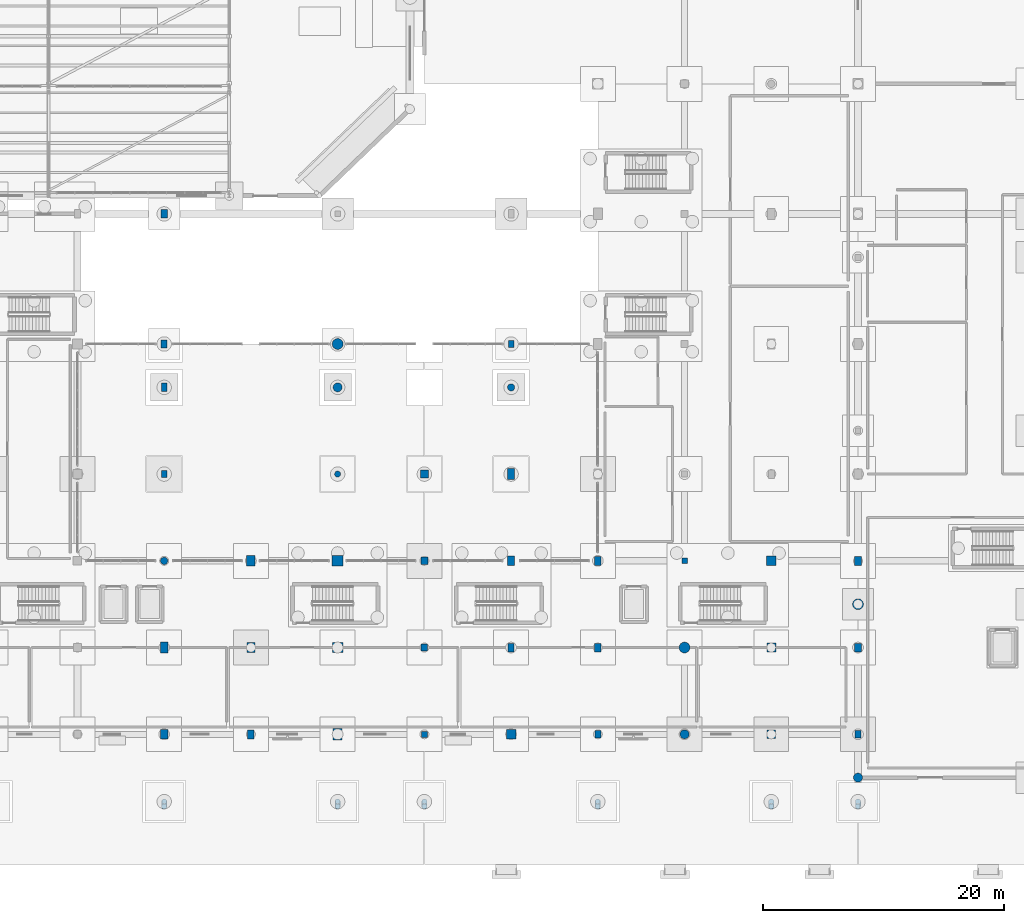
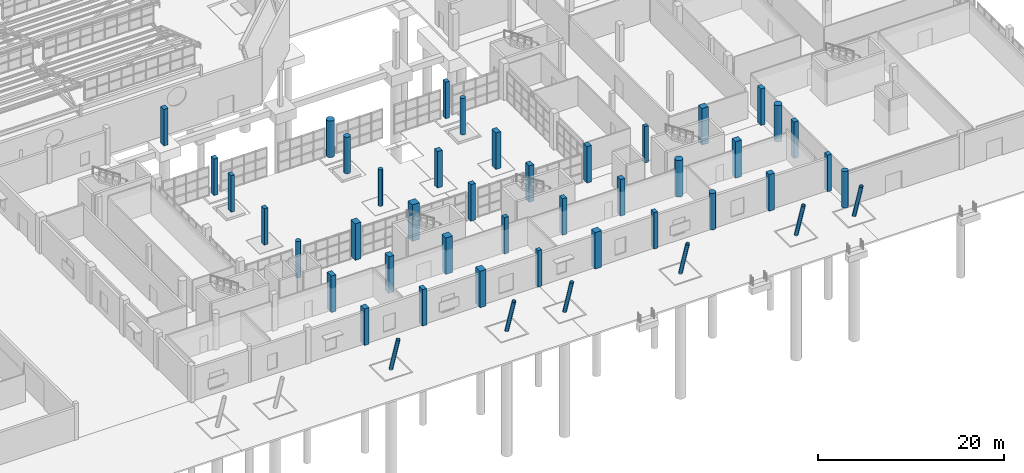
# One storey, part 27 of 285: 46 columns.
"""IFC4 building model written with IfcOpenShell, lengths in metres."""

from ifc_helpers import new_model, si_unit, direction, frame, origin, origin_2d, place, context, subcontext, project, spatial, rectangle, circle, hollow_circle, extrude, material, material_profile, profile_set, type_object, element, save


model = new_model("IFC4")

# Units and contexts
model_context = context("Model", 3, precision=1e-05, world=origin(), true_north=direction((0.0, 1.0)))
body_context = subcontext(model_context, "Body", "Model", "MODEL_VIEW")
ifc_project = project(units=[si_unit("LENGTHUNIT", "METRE"), si_unit("AREAUNIT", "SQUARE_METRE"), si_unit("VOLUMEUNIT", "CUBIC_METRE"), si_unit("PLANEANGLEUNIT", "RADIAN"), si_unit("MASSUNIT", "GRAM", prefix="KILO")], contexts=[model_context])

# Site, building, storey
site_placement = place(None, origin())
site = spatial("IfcSite", under=ifc_project, at=site_placement, CompositionType="ELEMENT")
building_placement = place(site_placement, origin())
building = spatial("IfcBuilding", under=site, at=building_placement, Name="Solanera Park Tramway Depot", CompositionType="ELEMENT")
storey_placement = place(building_placement, origin())
storey = spatial("IfcBuildingStorey", under=building, at=storey_placement, Name="L00", CompositionType="ELEMENT", Elevation=0.0)

# Columns
ifc_material_1 = material(Name="Concrete N40 (C40/50)", Category="concrete")
ifc_material_profile_1 = material_profile(ifc_material_1, rectangle(XDim=0.5, YDim=0.5, at=origin_2d()), Name="RC 500x500")
ifc_profile_set_1 = profile_set([ifc_material_profile_1], Name="Concrete N40 (C40/50)")
column_type_1 = type_object("IfcColumnType", Name="RC Column Ext RC 500x500", PredefinedType="COLUMN", material=ifc_profile_set_1)
column_1_placement = place(storey_placement, frame((151.199951171875, 10.800048828125, 0.0), z_axis=(0.0, 0.0, 1.0), x_axis=(1.0, 0.0, 0.0)))
element("IfcColumn", 1, at=column_1_placement, inside=storey, type_object=column_type_1, Name="L00 Column V4-X1512-Y108", PredefinedType="COLUMN", context=body_context, shape_type="SweptSolid", body=[
    extrude(rectangle(XDim=0.5, YDim=0.5, at=origin_2d()), origin(), (0.0, 0.0, 1.0), 4.800048828125),
])
ifc_material_2 = material(Name="Concrete N40 (C40/50)", Category="concrete")
ifc_material_profile_2 = material_profile(ifc_material_2, rectangle(XDim=0.5, YDim=0.64990234375, at=origin_2d()), Name="RC 500x650")
ifc_profile_set_2 = profile_set([ifc_material_profile_2], Name="Concrete N40 (C40/50)")
column_type_2 = type_object("IfcColumnType", Name="RC Column Ext RC 500x650", PredefinedType="COLUMN", material=ifc_profile_set_2)
for number, where, z_axis, x_axis, name in (
    (2, (165.60009765625, 10.800048828125, 0.0), (0.0, 0.0, 1.0), (1.0, 0.0, 0.0), "L00 Column V4-X1656-Y108"),
    (3, (187.199951171875, 10.800048828125, 0.0), (0.0, 0.0, 1.0), (1.0, 0.0, 0.0), "L00 Column V4-X1872-Y108"),
):
    element("IfcColumn", number, at=place(storey_placement, frame(where, z_axis=z_axis, x_axis=x_axis)), inside=storey, type_object=column_type_2, Name=name, PredefinedType="COLUMN", context=body_context, shape_type="SweptSolid", body=[
        extrude(rectangle(XDim=0.5, YDim=0.64990234375, at=origin_2d()), origin(), (0.0, 0.0, 1.0), 4.800048828125),
    ])
ifc_material_3 = material(Name="Concrete N40 (C40/50)", Category="concrete")
ifc_material_profile_3 = material_profile(ifc_material_3, rectangle(XDim=0.550048828125, YDim=0.699951171875, at=origin_2d()), Name="RC 550x700")
ifc_profile_set_3 = profile_set([ifc_material_profile_3], Name="Concrete N40 (C40/50)")
column_type_3 = type_object("IfcColumnType", Name="RC Column Ext RC 550x700", PredefinedType="COLUMN", material=ifc_profile_set_3)
for number, where, z_axis, x_axis, name in (
    (4, (129.60009765625, 54.0, 0.0), (0.0, 0.0, 1.0), (1.0, 0.0, 0.0), "L00 Column V4-X1296-Y540"),
    (5, (187.199951171875, 18.0, 0.0), (0.0, 0.0, 1.0), (1.0, 0.0, 0.0), "L00 Column V4-X1872-Y180"),
):
    element("IfcColumn", number, at=place(storey_placement, frame(where, z_axis=z_axis, x_axis=x_axis)), inside=storey, type_object=column_type_3, Name=name, PredefinedType="COLUMN", context=body_context, shape_type="SweptSolid", body=[
        extrude(rectangle(XDim=0.550048828125, YDim=0.699951171875, at=origin_2d()), origin(), (0.0, 0.0, 1.0), 4.800048828125),
    ])
ifc_material_4 = material(Name="Concrete N40 (C40/50)", Category="concrete")
ifc_material_profile_4 = material_profile(ifc_material_4, rectangle(XDim=0.550048828125, YDim=0.75, at=origin_2d()), Name="RC 550x750")
ifc_profile_set_4 = profile_set([ifc_material_profile_4], Name="Concrete N40 (C40/50)")
column_type_4 = type_object("IfcColumnType", Name="RC Column Ext RC 550x750", PredefinedType="COLUMN", material=ifc_profile_set_4)
for number, where, z_axis, x_axis, name in (
    (6, (136.800048828125, 10.800048828125, 0.0), (0.0, 0.0, 1.0), (1.0, 0.0, 0.0), "L00 Column V4-X1368-Y108"),
    (7, (187.199951171875, 25.199951171875, 0.0), (0.0, 0.0, 1.0), (1.0, 0.0, 0.0), "L00 Column V4-X1872-Y252"),
):
    element("IfcColumn", number, at=place(storey_placement, frame(where, z_axis=z_axis, x_axis=x_axis)), inside=storey, type_object=column_type_4, Name=name, PredefinedType="COLUMN", context=body_context, shape_type="SweptSolid", body=[
        extrude(rectangle(XDim=0.550048828125, YDim=0.75, at=origin_2d()), origin(), (0.0, 0.0, 1.0), 4.800048828125),
    ])
ifc_material_5 = material(Name="Concrete N40 (C40/50)", Category="concrete")
ifc_material_profile_5 = material_profile(ifc_material_5, rectangle(XDim=0.60009765625, YDim=0.800048828125, at=origin_2d()), Name="RC 600x800")
ifc_profile_set_5 = profile_set([ifc_material_profile_5], Name="Concrete N40 (C40/50)")
column_type_5 = type_object("IfcColumnType", Name="RC Column Ext RC 600x800", PredefinedType="COLUMN", material=ifc_profile_set_5)
column_2_placement = place(storey_placement, frame((129.60009765625, 10.800048828125, 0.0), z_axis=(0.0, 0.0, 1.0), x_axis=(1.0, 0.0, 0.0)))
element("IfcColumn", 8, at=column_2_placement, inside=storey, type_object=column_type_5, Name="L00 Column V4-X1296-Y108", PredefinedType="COLUMN", context=body_context, shape_type="SweptSolid", body=[
    extrude(rectangle(XDim=0.60009765625, YDim=0.800048828125, at=origin_2d()), origin(), (0.0, 0.0, 1.0), 4.800048828125),
])
ifc_material_6 = material(Name="Concrete N40 (C40/50)", Category="concrete")
ifc_material_profile_6 = material_profile(ifc_material_6, rectangle(XDim=0.699951171875, YDim=0.699951171875, at=origin_2d()), Name="RC 700x700")
ifc_profile_set_6 = profile_set([ifc_material_profile_6], Name="Concrete N40 (C40/50)")
column_type_6 = type_object("IfcColumnType", Name="RC Column Ext RC 700x700", PredefinedType="COLUMN", material=ifc_profile_set_6)
column_3_placement = place(storey_placement, frame((180.0, 10.800048828125, 0.0), z_axis=(0.0, 0.0, 1.0), x_axis=(1.0, 0.0, 0.0)))
element("IfcColumn", 9, at=column_3_placement, inside=storey, type_object=column_type_6, Name="L00 Column V4-X1800-Y108", PredefinedType="COLUMN", context=body_context, shape_type="SweptSolid", body=[
    extrude(rectangle(XDim=0.699951171875, YDim=0.699951171875, at=origin_2d()), origin(), (0.0, 0.0, 1.0), 4.800048828125),
])
ifc_material_7 = material(Name="Concrete N40 (C40/50)", Category="concrete")
ifc_material_profile_7 = material_profile(ifc_material_7, rectangle(XDim=0.75, YDim=0.949951171875, at=origin_2d()), Name="RC 750x950")
ifc_profile_set_7 = profile_set([ifc_material_profile_7], Name="Concrete N40 (C40/50)")
column_type_7 = type_object("IfcColumnType", Name="RC Column Ext RC 750x950", PredefinedType="COLUMN", material=ifc_profile_set_7)
column_4_placement = place(storey_placement, frame((144.0, 10.800048828125, 0.0), z_axis=(0.0, 0.0, 1.0), x_axis=(1.0, 0.0, 0.0)))
element("IfcColumn", 10, at=column_4_placement, inside=storey, type_object=column_type_7, Name="L00 Column V4-X1440-Y108", PredefinedType="COLUMN", context=body_context, shape_type="SweptSolid", body=[
    extrude(rectangle(XDim=0.75, YDim=0.949951171875, at=origin_2d()), origin(), (0.0, 0.0, 1.0), 4.800048828125),
])
ifc_material_8 = material(Name="Concrete N40 (C40/50)", Category="concrete")
ifc_material_profile_8 = material_profile(ifc_material_8, rectangle(XDim=0.800048828125, YDim=0.800048828125, at=origin_2d()), Name="RC 800x800")
ifc_profile_set_8 = profile_set([ifc_material_profile_8], Name="Concrete N40 (C40/50)")
column_type_8 = type_object("IfcColumnType", Name="RC Column Ext RC 800x800", PredefinedType="COLUMN", material=ifc_profile_set_8)
column_5_placement = place(storey_placement, frame((158.39990234375, 10.800048828125, 0.0), z_axis=(0.0, 0.0, 1.0), x_axis=(1.0, 0.0, 0.0)))
element("IfcColumn", 11, at=column_5_placement, inside=storey, type_object=column_type_8, Name="L00 Column V4-X1584-Y108", PredefinedType="COLUMN", context=body_context, shape_type="SweptSolid", body=[
    extrude(rectangle(XDim=0.800048828125, YDim=0.800048828125, at=origin_2d()), origin(), (0.0, 0.0, 1.0), 4.800048828125),
])
ifc_material_9 = material(Name="Concrete N40 (C40/50)", Category="concrete")
ifc_material_profile_9 = material_profile(ifc_material_9, circle(Radius=0.375, at=origin_2d()), Name="RC D750")
ifc_profile_set_9 = profile_set([ifc_material_profile_9], Name="Concrete N40 (C40/50)")
column_type_9 = type_object("IfcColumnType", Name="RC Column Ext RC D750", PredefinedType="COLUMN", material=ifc_profile_set_9)
for number, where, z_axis, x_axis, name in (
    (12, (172.800048828125, 10.800048828125, 0.0), (0.0, 0.0, 1.0), (1.0, 0.0, 0.0), "L00 Column V4-X1728-Y108"),
    (13, (187.199951171875, 7.199951171875, 0.0), (0.0, 0.0, 1.0), (1.0, 0.0, 0.0), "L00 Column V5-X1872-Y72"),
):
    element("IfcColumn", number, at=place(storey_placement, frame(where, z_axis=z_axis, x_axis=x_axis)), inside=storey, type_object=column_type_9, Name=name, PredefinedType="COLUMN", context=body_context, shape_type="SweptSolid", body=[
        extrude(circle(Radius=0.375, at=origin_2d()), origin(), (0.0, 0.0, 1.0), 4.800048828125),
    ])
ifc_material_10 = material(Name="Concrete N40 (C40/50)", Category="concrete")
ifc_material_profile_10 = material_profile(ifc_material_10, circle(Radius=0.449951171875, at=origin_2d()), Name="RC D900")
ifc_profile_set_10 = profile_set([ifc_material_profile_10], Name="Concrete N40 (C40/50)")
column_type_10 = type_object("IfcColumnType", Name="RC Column Ext RC D900", PredefinedType="COLUMN", material=ifc_profile_set_10)
column_6_placement = place(storey_placement, frame((187.199951171875, 21.60009765625, 0.0), z_axis=(0.0, 0.0, 1.0), x_axis=(1.0, 0.0, 0.0)))
element("IfcColumn", 14, at=column_6_placement, inside=storey, type_object=column_type_10, Name="L00 Column V5-X1872-Y216", PredefinedType="COLUMN", context=body_context, shape_type="SweptSolid", body=[
    extrude(circle(Radius=0.449951171875, at=origin_2d()), origin(), (0.0, 0.0, 1.0), 4.800048828125),
])
ifc_material_11 = material(Name="Concrete N40 (C40/50)", Category="concrete")
ifc_material_profile_11 = material_profile(ifc_material_11, rectangle(XDim=0.449951171875, YDim=0.449951171875, at=origin_2d()), Name="RC 450x450")
ifc_profile_set_11 = profile_set([ifc_material_profile_11], Name="Concrete N40 (C40/50)")
column_type_11 = type_object("IfcColumnType", Name="RC Column Int RC 450x450", PredefinedType="COLUMN", material=ifc_profile_set_11)
column_7_placement = place(storey_placement, frame((172.800048828125, 25.199951171875, 0.0), z_axis=(0.0, 0.0, 1.0), x_axis=(1.0, 0.0, 0.0)))
element("IfcColumn", 15, at=column_7_placement, inside=storey, type_object=column_type_11, Name="L00 Column V4-X1728-Y252", PredefinedType="COLUMN", context=body_context, shape_type="SweptSolid", body=[
    extrude(rectangle(XDim=0.449951171875, YDim=0.449951171875, at=origin_2d()), origin(), (0.0, 0.0, 1.0), 4.800048828125),
])
ifc_material_12 = material(Name="Concrete N40 (C40/50)", Category="concrete")
ifc_material_profile_12 = material_profile(ifc_material_12, rectangle(XDim=0.449951171875, YDim=0.60009765625, at=origin_2d()), Name="RC 450x600")
ifc_profile_set_12 = profile_set([ifc_material_profile_12], Name="Concrete N40 (C40/50)")
column_type_12 = type_object("IfcColumnType", Name="RC Column Int RC 450x600", PredefinedType="COLUMN", material=ifc_profile_set_12)
for number, where, z_axis, x_axis, name in (
    (16, (129.60009765625, 32.39990234375, 0.0), (0.0, 0.0, 1.0), (1.0, 0.0, 0.0), "L00 Column V4-X1296-Y324"),
    (17, (158.39990234375, 43.199951171875, 0.0), (0.0, 0.0, 1.0), (1.0, 0.0, 0.0), "L00 Column V4-X1584-Y432"),
):
    element("IfcColumn", number, at=place(storey_placement, frame(where, z_axis=z_axis, x_axis=x_axis)), inside=storey, type_object=column_type_12, Name=name, PredefinedType="COLUMN", context=body_context, shape_type="SweptSolid", body=[
        extrude(rectangle(XDim=0.449951171875, YDim=0.60009765625, at=origin_2d()), origin(), (0.0, 0.0, 1.0), 4.800048828125),
    ])
ifc_material_13 = material(Name="Concrete N40 (C40/50)", Category="concrete")
ifc_material_profile_13 = material_profile(ifc_material_13, rectangle(XDim=0.449951171875, YDim=0.699951171875, at=origin_2d()), Name="RC 450x700")
ifc_profile_set_13 = profile_set([ifc_material_profile_13], Name="Concrete N40 (C40/50)")
column_type_13 = type_object("IfcColumnType", Name="RC Column Int RC 450x700", PredefinedType="COLUMN", material=ifc_profile_set_13)
column_8_placement = place(storey_placement, frame((129.60009765625, 39.60009765625, 0.0), z_axis=(0.0, 0.0, 1.0), x_axis=(1.0, 0.0, 0.0)))
element("IfcColumn", 18, at=column_8_placement, inside=storey, type_object=column_type_13, Name="L00 Column V4-X1296-Y396", PredefinedType="COLUMN", context=body_context, shape_type="SweptSolid", body=[
    extrude(rectangle(XDim=0.449951171875, YDim=0.699951171875, at=origin_2d()), origin(), (0.0, 0.0, 1.0), 4.800048828125),
])
ifc_material_14 = material(Name="Concrete N40 (C40/50)", Category="concrete")
ifc_material_profile_14 = material_profile(ifc_material_14, rectangle(XDim=0.5, YDim=0.64990234375, at=origin_2d()), Name="RC 500x650")
ifc_profile_set_14 = profile_set([ifc_material_profile_14], Name="Concrete N40 (C40/50)")
column_type_14 = type_object("IfcColumnType", Name="RC Column Int RC 500x650", PredefinedType="COLUMN", material=ifc_profile_set_14)
column_9_placement = place(storey_placement, frame((129.60009765625, 43.199951171875, 0.0), z_axis=(0.0, 0.0, 1.0), x_axis=(1.0, 0.0, 0.0)))
element("IfcColumn", 19, at=column_9_placement, inside=storey, type_object=column_type_14, Name="L00 Column V4-X1296-Y432", PredefinedType="COLUMN", context=body_context, shape_type="SweptSolid", body=[
    extrude(rectangle(XDim=0.5, YDim=0.64990234375, at=origin_2d()), origin(), (0.0, 0.0, 1.0), 4.800048828125),
])
ifc_material_15 = material(Name="Concrete N40 (C40/50)", Category="concrete")
ifc_material_profile_15 = material_profile(ifc_material_15, rectangle(XDim=0.5, YDim=0.699951171875, at=origin_2d()), Name="RC 500x700")
ifc_profile_set_15 = profile_set([ifc_material_profile_15], Name="Concrete N40 (C40/50)")
column_type_15 = type_object("IfcColumnType", Name="RC Column Int RC 500x700", PredefinedType="COLUMN", material=ifc_profile_set_15)
column_10_placement = place(storey_placement, frame((158.39990234375, 18.0, 0.0), z_axis=(0.0, 0.0, 1.0), x_axis=(1.0, 0.0, 0.0)))
element("IfcColumn", 20, at=column_10_placement, inside=storey, type_object=column_type_15, Name="L00 Column V4-X1584-Y180", PredefinedType="COLUMN", context=body_context, shape_type="SweptSolid", body=[
    extrude(rectangle(XDim=0.5, YDim=0.699951171875, at=origin_2d()), origin(), (0.0, 0.0, 1.0), 4.800048828125),
])
ifc_material_16 = material(Name="Concrete N40 (C40/50)", Category="concrete")
ifc_material_profile_16 = material_profile(ifc_material_16, rectangle(XDim=0.550048828125, YDim=0.550048828125, at=origin_2d()), Name="RC 550x550")
ifc_profile_set_16 = profile_set([ifc_material_profile_16], Name="Concrete N40 (C40/50)")
column_type_16 = type_object("IfcColumnType", Name="RC Column Int RC 550x550", PredefinedType="COLUMN", material=ifc_profile_set_16)
column_11_placement = place(storey_placement, frame((151.199951171875, 18.0, 0.0), z_axis=(0.0, 0.0, 1.0), x_axis=(1.0, 0.0, 0.0)))
element("IfcColumn", 21, at=column_11_placement, inside=storey, type_object=column_type_16, Name="L00 Column V4-X1512-Y180", PredefinedType="COLUMN", context=body_context, shape_type="SweptSolid", body=[
    extrude(rectangle(XDim=0.550048828125, YDim=0.550048828125, at=origin_2d()), origin(), (0.0, 0.0, 1.0), 4.800048828125),
])
ifc_material_17 = material(Name="Concrete N40 (C40/50)", Category="concrete")
ifc_material_profile_17 = material_profile(ifc_material_17, rectangle(XDim=0.550048828125, YDim=0.699951171875, at=origin_2d()), Name="RC 550x700")
ifc_profile_set_17 = profile_set([ifc_material_profile_17], Name="Concrete N40 (C40/50)")
column_type_17 = type_object("IfcColumnType", Name="RC Column Int RC 550x700", PredefinedType="COLUMN", material=ifc_profile_set_17)
column_12_placement = place(storey_placement, frame((165.60009765625, 18.0, 0.0), z_axis=(0.0, 0.0, 1.0), x_axis=(1.0, 0.0, 0.0)))
element("IfcColumn", 22, at=column_12_placement, inside=storey, type_object=column_type_17, Name="L00 Column V4-X1656-Y180", PredefinedType="COLUMN", context=body_context, shape_type="SweptSolid", body=[
    extrude(rectangle(XDim=0.550048828125, YDim=0.699951171875, at=origin_2d()), origin(), (0.0, 0.0, 1.0), 4.800048828125),
])
ifc_material_18 = material(Name="Concrete N40 (C40/50)", Category="concrete")
ifc_material_profile_18 = material_profile(ifc_material_18, rectangle(XDim=0.550048828125, YDim=0.75, at=origin_2d()), Name="RC 550x750")
ifc_profile_set_18 = profile_set([ifc_material_profile_18], Name="Concrete N40 (C40/50)")
column_type_18 = type_object("IfcColumnType", Name="RC Column Int RC 550x750", PredefinedType="COLUMN", material=ifc_profile_set_18)
column_13_placement = place(storey_placement, frame((165.60009765625, 25.199951171875, 0.0), z_axis=(0.0, 0.0, 1.0), x_axis=(1.0, 0.0, 0.0)))
element("IfcColumn", 23, at=column_13_placement, inside=storey, type_object=column_type_18, Name="L00 Column V4-X1656-Y252", PredefinedType="COLUMN", context=body_context, shape_type="SweptSolid", body=[
    extrude(rectangle(XDim=0.550048828125, YDim=0.75, at=origin_2d()), origin(), (0.0, 0.0, 1.0), 4.800048828125),
])
ifc_material_19 = material(Name="Concrete N40 (C40/50)", Category="concrete")
ifc_material_profile_19 = material_profile(ifc_material_19, rectangle(XDim=0.60009765625, YDim=0.60009765625, at=origin_2d()), Name="RC 600x600")
ifc_profile_set_19 = profile_set([ifc_material_profile_19], Name="Concrete N40 (C40/50)")
column_type_19 = type_object("IfcColumnType", Name="RC Column Int RC 600x600", PredefinedType="COLUMN", material=ifc_profile_set_19)
column_14_placement = place(storey_placement, frame((151.199951171875, 25.199951171875, 0.0), z_axis=(0.0, 0.0, 1.0), x_axis=(1.0, 0.0, 0.0)))
element("IfcColumn", 24, at=column_14_placement, inside=storey, type_object=column_type_19, Name="L00 Column V4-X1512-Y252", PredefinedType="COLUMN", context=body_context, shape_type="SweptSolid", body=[
    extrude(rectangle(XDim=0.60009765625, YDim=0.60009765625, at=origin_2d()), origin(), (0.0, 0.0, 1.0), 4.800048828125),
])
ifc_material_20 = material(Name="Concrete N40 (C40/50)", Category="concrete")
ifc_material_profile_20 = material_profile(ifc_material_20, rectangle(XDim=0.60009765625, YDim=0.800048828125, at=origin_2d()), Name="RC 600x800")
ifc_profile_set_20 = profile_set([ifc_material_profile_20], Name="Concrete N40 (C40/50)")
column_type_20 = type_object("IfcColumnType", Name="RC Column Int RC 600x800", PredefinedType="COLUMN", material=ifc_profile_set_20)
column_15_placement = place(storey_placement, frame((158.39990234375, 25.199951171875, 0.0), z_axis=(0.0, 0.0, 1.0), x_axis=(1.0, 0.0, 0.0)))
element("IfcColumn", 25, at=column_15_placement, inside=storey, type_object=column_type_20, Name="L00 Column V4-X1584-Y252", PredefinedType="COLUMN", context=body_context, shape_type="SweptSolid", body=[
    extrude(rectangle(XDim=0.60009765625, YDim=0.800048828125, at=origin_2d()), origin(), (0.0, 0.0, 1.0), 4.800048828125),
])
ifc_material_21 = material(Name="Concrete N40 (C40/50)", Category="concrete")
ifc_material_profile_21 = material_profile(ifc_material_21, rectangle(XDim=0.60009765625, YDim=0.89990234375, at=origin_2d()), Name="RC 600x900")
ifc_profile_set_21 = profile_set([ifc_material_profile_21], Name="Concrete N40 (C40/50)")
column_type_21 = type_object("IfcColumnType", Name="RC Column Int RC 600x900", PredefinedType="COLUMN", material=ifc_profile_set_21)
for number, where, z_axis, x_axis, name in (
    (26, (129.60009765625, 18.0, 0.0), (0.0, 0.0, 1.0), (1.0, 0.0, 0.0), "L00 Column V4-X1296-Y180"),
    (27, (158.39990234375, 32.39990234375, 0.0), (0.0, 0.0, 1.0), (1.0, 0.0, 0.0), "L00 Column V4-X1584-Y324"),
):
    element("IfcColumn", number, at=place(storey_placement, frame(where, z_axis=z_axis, x_axis=x_axis)), inside=storey, type_object=column_type_21, Name=name, PredefinedType="COLUMN", context=body_context, shape_type="SweptSolid", body=[
        extrude(rectangle(XDim=0.60009765625, YDim=0.89990234375, at=origin_2d()), origin(), (0.0, 0.0, 1.0), 4.800048828125),
    ])
ifc_material_22 = material(Name="Concrete N40 (C40/50)", Category="concrete")
ifc_material_profile_22 = material_profile(ifc_material_22, rectangle(XDim=0.64990234375, YDim=0.64990234375, at=origin_2d()), Name="RC 650x650")
ifc_profile_set_22 = profile_set([ifc_material_profile_22], Name="Concrete N40 (C40/50)")
column_type_22 = type_object("IfcColumnType", Name="RC Column Int RC 650x650", PredefinedType="COLUMN", material=ifc_profile_set_22)
column_16_placement = place(storey_placement, frame((151.199951171875, 32.39990234375, 0.0), z_axis=(0.0, 0.0, 1.0), x_axis=(1.0, 0.0, 0.0)))
element("IfcColumn", 28, at=column_16_placement, inside=storey, type_object=column_type_22, Name="L00 Column V4-X1512-Y324", PredefinedType="COLUMN", context=body_context, shape_type="SweptSolid", body=[
    extrude(rectangle(XDim=0.64990234375, YDim=0.64990234375, at=origin_2d()), origin(), (0.0, 0.0, 1.0), 4.800048828125),
])
ifc_material_23 = material(Name="Concrete N40 (C40/50)", Category="concrete")
ifc_material_profile_23 = material_profile(ifc_material_23, rectangle(XDim=0.64990234375, YDim=0.85009765625, at=origin_2d()), Name="RC 650x850")
ifc_profile_set_23 = profile_set([ifc_material_profile_23], Name="Concrete N40 (C40/50)")
column_type_23 = type_object("IfcColumnType", Name="RC Column Int RC 650x850", PredefinedType="COLUMN", material=ifc_profile_set_23)
column_17_placement = place(storey_placement, frame((136.800048828125, 18.0, 0.0), z_axis=(0.0, 0.0, 1.0), x_axis=(1.0, 0.0, 0.0)))
element("IfcColumn", 29, at=column_17_placement, inside=storey, type_object=column_type_23, Name="L00 Column V4-X1368-Y180", PredefinedType="COLUMN", context=body_context, shape_type="SweptSolid", body=[
    extrude(rectangle(XDim=0.64990234375, YDim=0.85009765625, at=origin_2d()), origin(), (0.0, 0.0, 1.0), 4.800048828125),
])
ifc_material_24 = material(Name="Concrete N40 (C40/50)", Category="concrete")
ifc_material_profile_24 = material_profile(ifc_material_24, rectangle(XDim=0.699951171875, YDim=0.89990234375, at=origin_2d()), Name="RC 700x900")
ifc_profile_set_24 = profile_set([ifc_material_profile_24], Name="Concrete N40 (C40/50)")
column_type_24 = type_object("IfcColumnType", Name="RC Column Int RC 700x900", PredefinedType="COLUMN", material=ifc_profile_set_24)
column_18_placement = place(storey_placement, frame((136.800048828125, 25.199951171875, 0.0), z_axis=(0.0, 0.0, 1.0), x_axis=(1.0, 0.0, 0.0)))
element("IfcColumn", 30, at=column_18_placement, inside=storey, type_object=column_type_24, Name="L00 Column V4-X1368-Y252", PredefinedType="COLUMN", context=body_context, shape_type="SweptSolid", body=[
    extrude(rectangle(XDim=0.699951171875, YDim=0.89990234375, at=origin_2d()), origin(), (0.0, 0.0, 1.0), 4.800048828125),
])
ifc_material_25 = material(Name="Concrete N40 (C40/50)", Category="concrete")
ifc_material_profile_25 = material_profile(ifc_material_25, rectangle(XDim=0.75, YDim=0.75, at=origin_2d()), Name="RC 750x750")
ifc_profile_set_25 = profile_set([ifc_material_profile_25], Name="Concrete N40 (C40/50)")
column_type_25 = type_object("IfcColumnType", Name="RC Column Int RC 750x750", PredefinedType="COLUMN", material=ifc_profile_set_25)
column_19_placement = place(storey_placement, frame((180.0, 18.0, 0.0), z_axis=(0.0, 0.0, 1.0), x_axis=(1.0, 0.0, 0.0)))
element("IfcColumn", 31, at=column_19_placement, inside=storey, type_object=column_type_25, Name="L00 Column V4-X1800-Y180", PredefinedType="COLUMN", context=body_context, shape_type="SweptSolid", body=[
    extrude(rectangle(XDim=0.75, YDim=0.75, at=origin_2d()), origin(), (0.0, 0.0, 1.0), 4.800048828125),
])
ifc_material_26 = material(Name="Concrete N40 (C40/50)", Category="concrete")
ifc_material_profile_26 = material_profile(ifc_material_26, rectangle(XDim=0.800048828125, YDim=0.800048828125, at=origin_2d()), Name="RC 800x800")
ifc_profile_set_26 = profile_set([ifc_material_profile_26], Name="Concrete N40 (C40/50)")
column_type_26 = type_object("IfcColumnType", Name="RC Column Int RC 800x800", PredefinedType="COLUMN", material=ifc_profile_set_26)
column_20_placement = place(storey_placement, frame((180.0, 25.199951171875, 0.0), z_axis=(0.0, 0.0, 1.0), x_axis=(1.0, 0.0, 0.0)))
element("IfcColumn", 32, at=column_20_placement, inside=storey, type_object=column_type_26, Name="L00 Column V4-X1800-Y252", PredefinedType="COLUMN", context=body_context, shape_type="SweptSolid", body=[
    extrude(rectangle(XDim=0.800048828125, YDim=0.800048828125, at=origin_2d()), origin(), (0.0, 0.0, 1.0), 4.800048828125),
])
ifc_material_27 = material(Name="Concrete N40 (C40/50)", Category="concrete")
ifc_material_profile_27 = material_profile(ifc_material_27, rectangle(XDim=0.85009765625, YDim=0.85009765625, at=origin_2d()), Name="RC 850x850")
ifc_profile_set_27 = profile_set([ifc_material_profile_27], Name="Concrete N40 (C40/50)")
column_type_27 = type_object("IfcColumnType", Name="RC Column Int RC 850x850", PredefinedType="COLUMN", material=ifc_profile_set_27)
column_21_placement = place(storey_placement, frame((144.0, 18.0, 0.0), z_axis=(0.0, 0.0, 1.0), x_axis=(1.0, 0.0, 0.0)))
element("IfcColumn", 33, at=column_21_placement, inside=storey, type_object=column_type_27, Name="L00 Column V4-X1440-Y180", PredefinedType="COLUMN", context=body_context, shape_type="SweptSolid", body=[
    extrude(rectangle(XDim=0.85009765625, YDim=0.85009765625, at=origin_2d()), origin(), (0.0, 0.0, 1.0), 4.800048828125),
])
ifc_material_28 = material(Name="Concrete N40 (C40/50)", Category="concrete")
ifc_material_profile_28 = material_profile(ifc_material_28, rectangle(XDim=0.89990234375, YDim=0.89990234375, at=origin_2d()), Name="RC 900x900")
ifc_profile_set_28 = profile_set([ifc_material_profile_28], Name="Concrete N40 (C40/50)")
column_type_28 = type_object("IfcColumnType", Name="RC Column Int RC 900x900", PredefinedType="COLUMN", material=ifc_profile_set_28)
column_22_placement = place(storey_placement, frame((144.0, 25.199951171875, 0.0), z_axis=(0.0, 0.0, 1.0), x_axis=(1.0, 0.0, 0.0)))
element("IfcColumn", 34, at=column_22_placement, inside=storey, type_object=column_type_28, Name="L00 Column V4-X1440-Y252", PredefinedType="COLUMN", context=body_context, shape_type="SweptSolid", body=[
    extrude(rectangle(XDim=0.89990234375, YDim=0.89990234375, at=origin_2d()), origin(), (0.0, 0.0, 1.0), 4.800048828125),
])
ifc_material_29 = material(Name="Concrete N40 (C40/50)", Category="concrete")
ifc_material_profile_29 = material_profile(ifc_material_29, circle(Radius=0.25, at=origin_2d()), Name="RC D500")
ifc_profile_set_29 = profile_set([ifc_material_profile_29], Name="Concrete N40 (C40/50)")
column_type_29 = type_object("IfcColumnType", Name="RC Column Int RC D500", PredefinedType="COLUMN", material=ifc_profile_set_29)
column_23_placement = place(storey_placement, frame((144.0, 32.39990234375, 0.0), z_axis=(0.0, 0.0, 1.0), x_axis=(1.0, 0.0, 0.0)))
element("IfcColumn", 35, at=column_23_placement, inside=storey, type_object=column_type_29, Name="L00 Column V4-X1440-Y324", PredefinedType="COLUMN", context=body_context, shape_type="SweptSolid", body=[
    extrude(circle(Radius=0.25, at=origin_2d()), origin(), (0.0, 0.0, 1.0), 4.800048828125),
])
ifc_material_30 = material(Name="Concrete N40 (C40/50)", Category="concrete")
ifc_material_profile_30 = material_profile(ifc_material_30, circle(Radius=0.300048828125, at=origin_2d()), Name="RC D600")
ifc_profile_set_30 = profile_set([ifc_material_profile_30], Name="Concrete N40 (C40/50)")
column_type_30 = type_object("IfcColumnType", Name="RC Column Int RC D600", PredefinedType="COLUMN", material=ifc_profile_set_30)
for number, where, z_axis, x_axis, name in (
    (36, (129.60009765625, 25.199951171875, 0.0), (0.0, 0.0, 1.0), (1.0, 0.0, 0.0), "L00 Column V4-X1296-Y252"),
    (37, (158.39990234375, 39.60009765625, 0.0), (0.0, 0.0, 1.0), (1.0, 0.0, 0.0), "L00 Column V4-X1584-Y396"),
):
    element("IfcColumn", number, at=place(storey_placement, frame(where, z_axis=z_axis, x_axis=x_axis)), inside=storey, type_object=column_type_30, Name=name, PredefinedType="COLUMN", context=body_context, shape_type="SweptSolid", body=[
        extrude(circle(Radius=0.300048828125, at=origin_2d()), origin(), (0.0, 0.0, 1.0), 4.800048828125),
    ])
ifc_material_31 = material(Name="Concrete N40 (C40/50)", Category="concrete")
ifc_material_profile_31 = material_profile(ifc_material_31, circle(Radius=0.375, at=origin_2d()), Name="RC D750")
ifc_profile_set_31 = profile_set([ifc_material_profile_31], Name="Concrete N40 (C40/50)")
column_type_31 = type_object("IfcColumnType", Name="RC Column Int RC D750", PredefinedType="COLUMN", material=ifc_profile_set_31)
column_24_placement = place(storey_placement, frame((144.0, 39.60009765625, 0.0), z_axis=(0.0, 0.0, 1.0), x_axis=(1.0, 0.0, 0.0)))
element("IfcColumn", 38, at=column_24_placement, inside=storey, type_object=column_type_31, Name="L00 Column V4-X1440-Y396", PredefinedType="COLUMN", context=body_context, shape_type="SweptSolid", body=[
    extrude(circle(Radius=0.375, at=origin_2d()), origin(), (0.0, 0.0, 1.0), 4.800048828125),
])
ifc_material_32 = material(Name="Concrete N40 (C40/50)", Category="concrete")
ifc_material_profile_32 = material_profile(ifc_material_32, circle(Radius=0.449951171875, at=origin_2d()), Name="RC D900")
ifc_profile_set_32 = profile_set([ifc_material_profile_32], Name="Concrete N40 (C40/50)")
column_type_32 = type_object("IfcColumnType", Name="RC Column Int RC D900", PredefinedType="COLUMN", material=ifc_profile_set_32)
for number, where, z_axis, x_axis, name in (
    (39, (144.0, 43.199951171875, 0.0), (0.0, 0.0, 1.0), (1.0, 0.0, 0.0), "L00 Column V4-X1440-Y432"),
    (40, (172.800048828125, 18.0, 0.0), (0.0, 0.0, 1.0), (1.0, 0.0, 0.0), "L00 Column V4-X1728-Y180"),
):
    element("IfcColumn", number, at=place(storey_placement, frame(where, z_axis=z_axis, x_axis=x_axis)), inside=storey, type_object=column_type_32, Name=name, PredefinedType="COLUMN", context=body_context, shape_type="SweptSolid", body=[
        extrude(circle(Radius=0.449951171875, at=origin_2d()), origin(), (0.0, 0.0, 1.0), 4.800048828125),
    ])
ifc_material_33 = material(Name="Steel AS/NZS 1163 Grade C350L0", Category="steel")
ifc_material_profile_33 = material_profile(ifc_material_33, hollow_circle(Radius=0.228515625, WallThickness=0.0126953125, at=origin_2d()), Name="457.0x12.7 CHS")
ifc_profile_set_33 = profile_set([ifc_material_profile_33], Name="Steel AS/NZS 1163 Grade C350L0")
column_type_33 = type_object("IfcColumnType", Name="Steel Column Ext 457.0x12.7 CHS", PredefinedType="COLUMN", material=ifc_profile_set_33)
for number, where, z_axis, x_axis, name in (
    (41, (129.60009765625, 5.207275390625, 0.0), (0.0, -0.309006224481, 0.951060015578), (1.0, 0.0, 0.0), "L00 Raked Head-Block Support Column 02"),
    (42, (144.0, 5.207275390625, 0.0), (0.0, -0.309006224481, 0.951060015578), (1.0, 0.0, 0.0), "L00 Raked Head-Block Support Column 03"),
    (43, (151.199951171875, 5.207275390625, 0.0), (0.0, -0.309006224481, 0.951060015578), (1.0, 0.0, 0.0), "L00 Raked Head-Block Support Column 04"),
    (44, (165.60009765625, 5.207275390625, 0.0), (0.0, -0.309006224481, 0.951060015578), (1.0, 0.0, 0.0), "L00 Raked Head-Block Support Column 05"),
    (45, (180.0, 5.207275390625, 0.0), (0.0, -0.309006224481, 0.951060015578), (1.0, 0.0, 0.0), "L00 Raked Head-Block Support Column 06"),
    (46, (187.199951171875, 5.207275390625, 0.0), (0.0, -0.309006224481, 0.951060015578), (1.0, 0.0, 0.0), "L00 Raked Azotea Support Column 2"),
):
    element("IfcColumn", number, at=place(storey_placement, frame(where, z_axis=z_axis, x_axis=x_axis)), inside=storey, type_object=column_type_33, Name=name, PredefinedType="COLUMN", context=body_context, shape_type="SweptSolid", body=[
        extrude(hollow_circle(Radius=0.228515625, WallThickness=0.0126953125, at=origin_2d()), origin(), (0.0, 0.0, 1.0), 5.047119140625),
    ])

save(model, "model.ifc")
